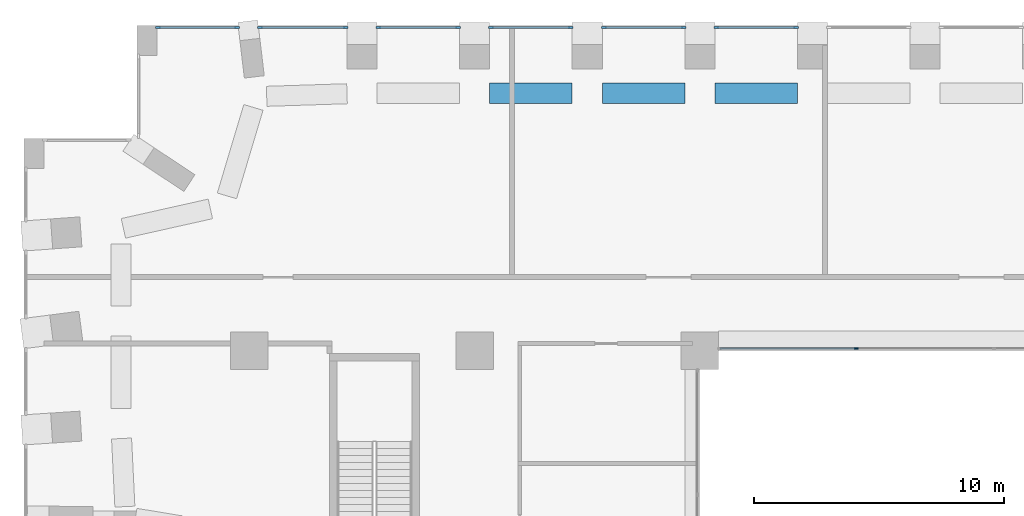
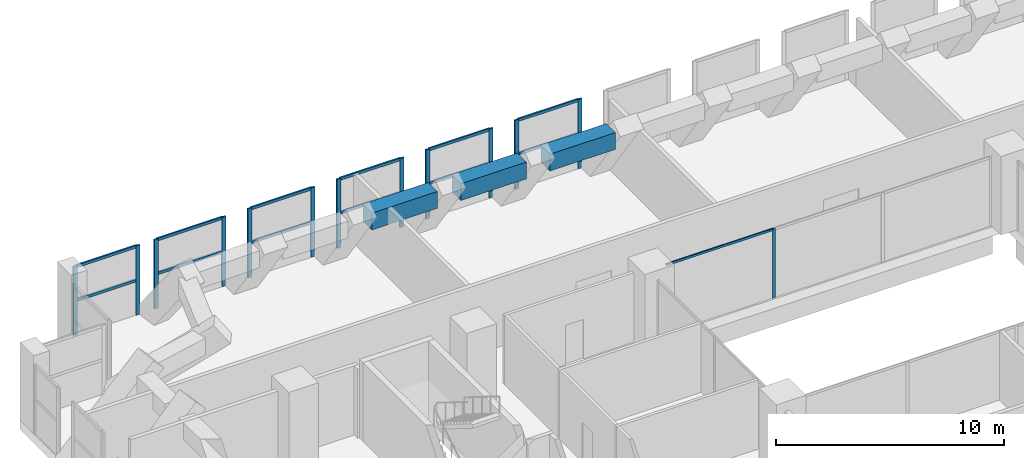
# One storey, part 7 of 20: 26 members, 3 beams, 7 elements without a shape of their own.
"""IFC4 building model written with IfcOpenShell, lengths in metres."""

from ifc_helpers import new_model, si_unit, direction, frame, origin, origin_2d, place, context, subcontext, project, spatial, rectangle, extrude, material, layer, layer_set, material_profile, profile_set, type_object, element, aggregate, save


model = new_model("IFC4")

# Units and contexts
model_context = context("Model", 3, precision=1e-05, world=origin(), true_north=direction((0.0, 1.0)))
body_context = subcontext(model_context, "Body", "Model", "MODEL_VIEW")
ifc_project = project(units=[si_unit("LENGTHUNIT", "METRE"), si_unit("AREAUNIT", "SQUARE_METRE"), si_unit("VOLUMEUNIT", "CUBIC_METRE"), si_unit("PLANEANGLEUNIT", "RADIAN"), si_unit("MASSUNIT", "GRAM", prefix="KILO")], contexts=[model_context])

# Site, building, storey
site_placement = place(None, origin())
site = spatial("IfcSite", under=ifc_project, at=site_placement, CompositionType="ELEMENT")
building_placement = place(site_placement, origin())
building = spatial("IfcBuilding", under=site, at=building_placement, Name="Brigalow Station Residences", CompositionType="ELEMENT")
storey_placement = place(building_placement, frame((0.0, 0.0, 73.050048828125)))
storey = spatial("IfcBuildingStorey", under=building, at=storey_placement, Name="L21", CompositionType="ELEMENT", Elevation=73.050048828125)

# Curtain wall, members
ifc_material_1 = material(Name="Aluminium", Category="aluminium")
ifc_layer_1 = layer(ifc_material_1, 0.14990234375)
ifc_layer_set_1 = layer_set([ifc_layer_1], Name="ATRIUM FIRE-RATED GLAZING CURTAIN WALL")
curtain_wall_type_1 = type_object("IfcCurtainWallType", Name="ATRIUM FIRE-RATED GLAZING CURTAIN WALL", PredefinedType="NOTDEFINED", material=ifc_layer_set_1)
curtain_wall_1_placement = place(storey_placement, origin())
curtain_wall_1 = element("IfcCurtainWall", 1, at=curtain_wall_1_placement, inside=storey, type_object=curtain_wall_type_1, Name="L21/cw/atrium-N", PredefinedType="NOTDEFINED")
ifc_material_2 = material(Name="Aluminium", Category="aluminium")
ifc_material_profile_1 = material_profile(ifc_material_2, rectangle(XDim=0.06005859375, YDim=0.14990234375, at=origin_2d()), Name="ATRIUM FIRE-RATED GLAZING MULLION 60x150")
ifc_profile_set_1 = profile_set([ifc_material_profile_1], Name="Aluminium")
member_type_1 = type_object("IfcMemberType", Name="ATRIUM FIRE-RATED GLAZING MULLION 60x150", PredefinedType="MULLION", material=ifc_profile_set_1)
member_1_placement = place(storey_placement, frame((33.25, 35.60009765625, 0.0), z_axis=(0.0, 0.0, 1.0), x_axis=(0.0, -1.0, 0.0)))
member_1 = element("IfcMember", 2, at=member_1_placement, type_object=member_type_1, Name="L21/cw/atrium-N/M02", PredefinedType="MULLION", context=body_context, shape_type="SweptSolid", body=[
    extrude(rectangle(XDim=0.06005859375, YDim=0.14990234375, at=origin_2d()), origin(), (0.0, 0.0, 1.0), 3.699951171875),
])
ifc_material_3 = material(Name="Aluminium", Category="aluminium")
ifc_material_profile_2 = material_profile(ifc_material_3, rectangle(XDim=0.06005859375, YDim=0.1201171875, at=origin_2d()), Name="ATRIUM FIRE-RATED GLAZING TRANSOM 60x120")
ifc_profile_set_2 = profile_set([ifc_material_profile_2], Name="Aluminium")
member_type_2 = type_object("IfcMemberType", Name="ATRIUM FIRE-RATED GLAZING TRANSOM 60x120", PredefinedType="USERDEFINED", material=ifc_profile_set_2)
member_2_placement = place(storey_placement, frame((33.219970703125, 35.60009765625, 3.669921875), z_axis=(-1.0, 0.0, 0.0), x_axis=(0.0, -1.0, 0.0)))
member_2 = element("IfcMember", 3, at=member_2_placement, type_object=member_type_2, Name="L21/cw/atrium-N/T02-00", ObjectType="TRANSOM", PredefinedType="USERDEFINED", context=body_context, shape_type="SweptSolid", body=[
    extrude(rectangle(XDim=0.06005859375, YDim=0.1201171875, at=origin_2d()), origin(), (0.0, 0.0, 1.0), 5.409912109375),
])
aggregate(curtain_wall_1, [member_1, member_2])

# Beams
ifc_material_4 = material(Name="Concrete C65", Category="concrete")
ifc_material_profile_3 = material_profile(ifc_material_4, rectangle(XDim=0.800048828125, YDim=0.89990234375, at=origin_2d()), Name="RC800x900")
ifc_profile_set_3 = profile_set([ifc_material_profile_3], Name="Concrete C65")
beam_type = type_object("IfcBeamType", Name="KINK TIE BEAM 800x900 C65", PredefinedType="BEAM", material=ifc_profile_set_3)
for number, where, z_axis, x_axis, name in (
    (4, (30.89990234375, 45.7978515625, 3.25), (-1.0, 0.0, 0.0), (0.0, -1.0, 0.0), "KINK TIE BEAM 29 L21"),
    (5, (26.39990234375, 45.7978515625, 3.25), (-1.0, 0.0, 0.0), (0.0, -1.0, 0.0), "KINK TIE BEAM 30 L21"),
    (6, (21.89990234375, 45.7978515625, 3.25), (-1.0, 0.0, 0.0), (0.0, -1.0, 0.0), "KINK TIE BEAM 31 L21"),
):
    element("IfcBeam", number, at=place(storey_placement, frame(where, z_axis=z_axis, x_axis=x_axis)), inside=storey, type_object=beam_type, Name=name, PredefinedType="BEAM", context=body_context, shape_type="SweptSolid", body=[
        extrude(rectangle(XDim=0.800048828125, YDim=0.89990234375, at=origin_2d()), origin(), (0.0, 0.0, 1.0), 3.2998046875),
    ])

# Curtain wall, members
ifc_material_5 = material(Name="Aluminium", Category="aluminium")
ifc_layer_2 = layer(ifc_material_5, 0.199951171875)
ifc_layer_set_2 = layer_set([ifc_layer_2], Name="REFUGE FLOOR LOUVRE CURTAIN WALL")
curtain_wall_type_2 = type_object("IfcCurtainWallType", Name="REFUGE FLOOR LOUVRE CURTAIN WALL", PredefinedType="NOTDEFINED", material=ifc_layer_set_2)
curtain_wall_2_placement = place(storey_placement, origin())
curtain_wall_2 = element("IfcCurtainWall", 7, at=curtain_wall_2_placement, inside=storey, type_object=curtain_wall_type_2, Name="L21/cw/louvre-W-L21-25-32", PredefinedType="NOTDEFINED")
ifc_material_6 = material(Name="Aluminium", Category="aluminium")
ifc_material_profile_4 = material_profile(ifc_material_6, rectangle(XDim=0.080078125, YDim=0.199951171875, at=origin_2d()), Name="REFUGE FLOOR LOUVRE MULLION 80x200")
ifc_profile_set_4 = profile_set([ifc_material_profile_4], Name="Aluminium")
member_type_3 = type_object("IfcMemberType", Name="REFUGE FLOOR LOUVRE MULLION 80x200", PredefinedType="MULLION", material=ifc_profile_set_4)
member_3_placement = place(storey_placement, frame((30.840087890625, 48.425048828125, 0.0), z_axis=(0.0, 0.0, 1.0), x_axis=(0.0, -1.0, 0.0)))
member_3 = element("IfcMember", 8, at=member_3_placement, type_object=member_type_3, Name="L21/cw/louvre-W-L21-25-32/M00", PredefinedType="MULLION", context=body_context, shape_type="SweptSolid", body=[
    extrude(rectangle(XDim=0.080078125, YDim=0.199951171875, at=origin_2d()), origin(), (0.0, 0.0, 1.0), 3.699951171875),
])
member_4_placement = place(storey_placement, frame((27.659912109375, 48.425048828125, 0.0), z_axis=(0.0, 0.0, 1.0), x_axis=(0.0, -1.0, 0.0)))
member_4 = element("IfcMember", 9, at=member_4_placement, type_object=member_type_3, Name="L21/cw/louvre-W-L21-25-32/M01", PredefinedType="MULLION", context=body_context, shape_type="SweptSolid", body=[
    extrude(rectangle(XDim=0.080078125, YDim=0.199951171875, at=origin_2d()), origin(), (0.0, 0.0, 1.0), 3.699951171875),
])

curtain_wall_3_placement = place(storey_placement, origin())
curtain_wall_3 = element("IfcCurtainWall", 10, at=curtain_wall_3_placement, inside=storey, type_object=curtain_wall_type_2, Name="L21/cw/louvre-W-L21-25-33", PredefinedType="NOTDEFINED")
member_5_placement = place(storey_placement, frame((26.340087890625, 48.425048828125, 0.0), z_axis=(0.0, 0.0, 1.0), x_axis=(0.0, -1.0, 0.0)))
member_5 = element("IfcMember", 11, at=member_5_placement, type_object=member_type_3, Name="L21/cw/louvre-W-L21-25-33/M00", PredefinedType="MULLION", context=body_context, shape_type="SweptSolid", body=[
    extrude(rectangle(XDim=0.080078125, YDim=0.199951171875, at=origin_2d()), origin(), (0.0, 0.0, 1.0), 3.699951171875),
])
member_6_placement = place(storey_placement, frame((23.159912109375, 48.425048828125, 0.0), z_axis=(0.0, 0.0, 1.0), x_axis=(0.0, -1.0, 0.0)))
member_6 = element("IfcMember", 12, at=member_6_placement, type_object=member_type_3, Name="L21/cw/louvre-W-L21-25-33/M01", PredefinedType="MULLION", context=body_context, shape_type="SweptSolid", body=[
    extrude(rectangle(XDim=0.080078125, YDim=0.199951171875, at=origin_2d()), origin(), (0.0, 0.0, 1.0), 3.699951171875),
])

curtain_wall_4_placement = place(storey_placement, origin())
curtain_wall_4 = element("IfcCurtainWall", 13, at=curtain_wall_4_placement, inside=storey, type_object=curtain_wall_type_2, Name="L21/cw/louvre-W-L21-25-34", PredefinedType="NOTDEFINED")
member_7_placement = place(storey_placement, frame((21.840087890625, 48.425048828125, 0.0), z_axis=(0.0, 0.0, 1.0), x_axis=(0.0, -1.0, 0.0)))
member_7 = element("IfcMember", 14, at=member_7_placement, type_object=member_type_3, Name="L21/cw/louvre-W-L21-25-34/M00", PredefinedType="MULLION", context=body_context, shape_type="SweptSolid", body=[
    extrude(rectangle(XDim=0.080078125, YDim=0.199951171875, at=origin_2d()), origin(), (0.0, 0.0, 1.0), 3.699951171875),
])
member_8_placement = place(storey_placement, frame((18.659912109375, 48.425048828125, 0.0), z_axis=(0.0, 0.0, 1.0), x_axis=(0.0, -1.0, 0.0)))
member_8 = element("IfcMember", 15, at=member_8_placement, type_object=member_type_3, Name="L21/cw/louvre-W-L21-25-34/M01", PredefinedType="MULLION", context=body_context, shape_type="SweptSolid", body=[
    extrude(rectangle(XDim=0.080078125, YDim=0.199951171875, at=origin_2d()), origin(), (0.0, 0.0, 1.0), 3.699951171875),
])

curtain_wall_5_placement = place(storey_placement, origin())
curtain_wall_5 = element("IfcCurtainWall", 16, at=curtain_wall_5_placement, inside=storey, type_object=curtain_wall_type_2, Name="L21/cw/louvre-W-L21-25-35", PredefinedType="NOTDEFINED")
member_9_placement = place(storey_placement, frame((17.340087890625, 48.425048828125, 0.0), z_axis=(0.0, 0.0, 1.0), x_axis=(0.0, -1.0, 0.0)))
member_9 = element("IfcMember", 17, at=member_9_placement, type_object=member_type_3, Name="L21/cw/louvre-W-L21-25-35/M00", PredefinedType="MULLION", context=body_context, shape_type="SweptSolid", body=[
    extrude(rectangle(XDim=0.080078125, YDim=0.199951171875, at=origin_2d()), origin(), (0.0, 0.0, 1.0), 3.699951171875),
])
member_10_placement = place(storey_placement, frame((14.159912109375, 48.425048828125, 0.0), z_axis=(0.0, 0.0, 1.0), x_axis=(0.0, -1.0, 0.0)))
member_10 = element("IfcMember", 18, at=member_10_placement, type_object=member_type_3, Name="L21/cw/louvre-W-L21-25-35/M01", PredefinedType="MULLION", context=body_context, shape_type="SweptSolid", body=[
    extrude(rectangle(XDim=0.080078125, YDim=0.199951171875, at=origin_2d()), origin(), (0.0, 0.0, 1.0), 3.699951171875),
])

curtain_wall_6_placement = place(storey_placement, origin())
curtain_wall_6 = element("IfcCurtainWall", 19, at=curtain_wall_6_placement, inside=storey, type_object=curtain_wall_type_2, Name="L21/cw/louvre-W-L21-25-36", PredefinedType="NOTDEFINED")
member_11_placement = place(storey_placement, frame((12.840087890625, 48.425048828125, 0.0), z_axis=(0.0, 0.0, 1.0), x_axis=(0.0, -1.0, 0.0)))
member_11 = element("IfcMember", 20, at=member_11_placement, type_object=member_type_3, Name="L21/cw/louvre-W-L21-25-36/M00", PredefinedType="MULLION", context=body_context, shape_type="SweptSolid", body=[
    extrude(rectangle(XDim=0.080078125, YDim=0.199951171875, at=origin_2d()), origin(), (0.0, 0.0, 1.0), 3.699951171875),
])
member_12_placement = place(storey_placement, frame((9.42431640625, 48.425048828125, 0.0), z_axis=(0.0, 0.0, 1.0), x_axis=(0.0, -1.0, 0.0)))
member_12 = element("IfcMember", 21, at=member_12_placement, type_object=member_type_3, Name="L21/cw/louvre-W-L21-25-36/M01", PredefinedType="MULLION", context=body_context, shape_type="SweptSolid", body=[
    extrude(rectangle(XDim=0.080078125, YDim=0.199951171875, at=origin_2d()), origin(), (0.0, 0.0, 1.0), 3.699951171875),
])

curtain_wall_7_placement = place(storey_placement, origin())
curtain_wall_7 = element("IfcCurtainWall", 22, at=curtain_wall_7_placement, inside=storey, type_object=curtain_wall_type_2, Name="L21/cw/louvre-W-L21-25-37", PredefinedType="NOTDEFINED")
member_13_placement = place(storey_placement, frame((8.498291015625, 48.425048828125, 0.0), z_axis=(0.0, 0.0, 1.0), x_axis=(0.0, -1.0, 0.0)))
member_13 = element("IfcMember", 23, at=member_13_placement, type_object=member_type_3, Name="L21/cw/louvre-W-L21-25-37/M00", PredefinedType="MULLION", context=body_context, shape_type="SweptSolid", body=[
    extrude(rectangle(XDim=0.080078125, YDim=0.199951171875, at=origin_2d()), origin(), (0.0, 0.0, 1.0), 3.699951171875),
])
member_14_placement = place(storey_placement, frame((5.340087890625, 48.425048828125, 0.0), z_axis=(0.0, 0.0, 1.0), x_axis=(0.0, -1.0, 0.0)))
member_14 = element("IfcMember", 24, at=member_14_placement, type_object=member_type_3, Name="L21/cw/louvre-W-L21-25-37/M01", PredefinedType="MULLION", context=body_context, shape_type="SweptSolid", body=[
    extrude(rectangle(XDim=0.080078125, YDim=0.199951171875, at=origin_2d()), origin(), (0.0, 0.0, 1.0), 3.699951171875),
])

# Member
ifc_material_7 = material(Name="Aluminium", Category="aluminium")
ifc_material_profile_5 = material_profile(ifc_material_7, rectangle(XDim=0.080078125, YDim=0.14990234375, at=origin_2d()), Name="REFUGE FLOOR LOUVRE TRANSOM 80x150")
ifc_profile_set_5 = profile_set([ifc_material_profile_5], Name="Aluminium")
member_type_4 = type_object("IfcMemberType", Name="REFUGE FLOOR LOUVRE TRANSOM 80x150", PredefinedType="USERDEFINED", material=ifc_profile_set_5)
member_15_placement = place(storey_placement, frame((30.800048828125, 48.425048828125, 1.849853515625), z_axis=(-1.0, 0.0, 0.0), x_axis=(0.0, -1.0, 0.0)))
member_15 = element("IfcMember", 25, at=member_15_placement, type_object=member_type_4, Name="L21/cw/louvre-W-L21-25-32/T00-00", ObjectType="TRANSOM", PredefinedType="USERDEFINED", context=body_context, shape_type="SweptSolid", body=[
    extrude(rectangle(XDim=0.080078125, YDim=0.14990234375, at=origin_2d()), origin(), (0.0, 0.0, 1.0), 3.10009765625),
])

member_16_placement = place(storey_placement, frame((30.800048828125, 48.425048828125, 3.659912109375), z_axis=(-1.0, 0.0, 0.0), x_axis=(0.0, -1.0, 0.0)))
member_16 = element("IfcMember", 26, at=member_16_placement, type_object=member_type_4, Name="L21/cw/louvre-W-L21-25-32/T00-01", ObjectType="TRANSOM", PredefinedType="USERDEFINED", context=body_context, shape_type="SweptSolid", body=[
    extrude(rectangle(XDim=0.080078125, YDim=0.14990234375, at=origin_2d()), origin(), (0.0, 0.0, 1.0), 3.10009765625),
])

aggregate(curtain_wall_2, [member_3, member_4, member_15, member_16])

member_17_placement = place(storey_placement, frame((26.300048828125, 48.425048828125, 1.849853515625), z_axis=(-1.0, 0.0, 0.0), x_axis=(0.0, -1.0, 0.0)))
member_17 = element("IfcMember", 27, at=member_17_placement, type_object=member_type_4, Name="L21/cw/louvre-W-L21-25-33/T00-00", ObjectType="TRANSOM", PredefinedType="USERDEFINED", context=body_context, shape_type="SweptSolid", body=[
    extrude(rectangle(XDim=0.080078125, YDim=0.14990234375, at=origin_2d()), origin(), (0.0, 0.0, 1.0), 3.10009765625),
])

member_18_placement = place(storey_placement, frame((26.300048828125, 48.425048828125, 3.659912109375), z_axis=(-1.0, 0.0, 0.0), x_axis=(0.0, -1.0, 0.0)))
member_18 = element("IfcMember", 28, at=member_18_placement, type_object=member_type_4, Name="L21/cw/louvre-W-L21-25-33/T00-01", ObjectType="TRANSOM", PredefinedType="USERDEFINED", context=body_context, shape_type="SweptSolid", body=[
    extrude(rectangle(XDim=0.080078125, YDim=0.14990234375, at=origin_2d()), origin(), (0.0, 0.0, 1.0), 3.10009765625),
])

aggregate(curtain_wall_3, [member_5, member_6, member_17, member_18])

member_19_placement = place(storey_placement, frame((21.800048828125, 48.425048828125, 1.849853515625), z_axis=(-1.0, 0.0, 0.0), x_axis=(0.0, -1.0, 0.0)))
member_19 = element("IfcMember", 29, at=member_19_placement, type_object=member_type_4, Name="L21/cw/louvre-W-L21-25-34/T00-00", ObjectType="TRANSOM", PredefinedType="USERDEFINED", context=body_context, shape_type="SweptSolid", body=[
    extrude(rectangle(XDim=0.080078125, YDim=0.14990234375, at=origin_2d()), origin(), (0.0, 0.0, 1.0), 3.10009765625),
])

member_20_placement = place(storey_placement, frame((21.800048828125, 48.425048828125, 3.659912109375), z_axis=(-1.0, 0.0, 0.0), x_axis=(0.0, -1.0, 0.0)))
member_20 = element("IfcMember", 30, at=member_20_placement, type_object=member_type_4, Name="L21/cw/louvre-W-L21-25-34/T00-01", ObjectType="TRANSOM", PredefinedType="USERDEFINED", context=body_context, shape_type="SweptSolid", body=[
    extrude(rectangle(XDim=0.080078125, YDim=0.14990234375, at=origin_2d()), origin(), (0.0, 0.0, 1.0), 3.10009765625),
])

aggregate(curtain_wall_4, [member_7, member_8, member_19, member_20])

member_21_placement = place(storey_placement, frame((17.300048828125, 48.425048828125, 1.849853515625), z_axis=(-1.0, 0.0, 0.0), x_axis=(0.0, -1.0, 0.0)))
member_21 = element("IfcMember", 31, at=member_21_placement, type_object=member_type_4, Name="L21/cw/louvre-W-L21-25-35/T00-00", ObjectType="TRANSOM", PredefinedType="USERDEFINED", context=body_context, shape_type="SweptSolid", body=[
    extrude(rectangle(XDim=0.080078125, YDim=0.14990234375, at=origin_2d()), origin(), (0.0, 0.0, 1.0), 3.10009765625),
])

member_22_placement = place(storey_placement, frame((17.300048828125, 48.425048828125, 3.659912109375), z_axis=(-1.0, 0.0, 0.0), x_axis=(0.0, -1.0, 0.0)))
member_22 = element("IfcMember", 32, at=member_22_placement, type_object=member_type_4, Name="L21/cw/louvre-W-L21-25-35/T00-01", ObjectType="TRANSOM", PredefinedType="USERDEFINED", context=body_context, shape_type="SweptSolid", body=[
    extrude(rectangle(XDim=0.080078125, YDim=0.14990234375, at=origin_2d()), origin(), (0.0, 0.0, 1.0), 3.10009765625),
])

aggregate(curtain_wall_5, [member_9, member_10, member_21, member_22])

member_23_placement = place(storey_placement, frame((12.800048828125, 48.425048828125, 1.849853515625), z_axis=(-1.0, 0.0, 0.0), x_axis=(0.0, -1.0, 0.0)))
member_23 = element("IfcMember", 33, at=member_23_placement, type_object=member_type_4, Name="L21/cw/louvre-W-L21-25-36/T00-00", ObjectType="TRANSOM", PredefinedType="USERDEFINED", context=body_context, shape_type="SweptSolid", body=[
    extrude(rectangle(XDim=0.080078125, YDim=0.14990234375, at=origin_2d()), origin(), (0.0, 0.0, 1.0), 3.335693359375),
])

member_24_placement = place(storey_placement, frame((12.800048828125, 48.425048828125, 3.659912109375), z_axis=(-1.0, 0.0, 0.0), x_axis=(0.0, -1.0, 0.0)))
member_24 = element("IfcMember", 34, at=member_24_placement, type_object=member_type_4, Name="L21/cw/louvre-W-L21-25-36/T00-01", ObjectType="TRANSOM", PredefinedType="USERDEFINED", context=body_context, shape_type="SweptSolid", body=[
    extrude(rectangle(XDim=0.080078125, YDim=0.14990234375, at=origin_2d()), origin(), (0.0, 0.0, 1.0), 3.335693359375),
])

aggregate(curtain_wall_6, [member_11, member_12, member_23, member_24])

member_25_placement = place(storey_placement, frame((8.458251953125, 48.425048828125, 1.849853515625), z_axis=(-1.0, 0.0, 0.0), x_axis=(0.0, -1.0, 0.0)))
member_25 = element("IfcMember", 35, at=member_25_placement, type_object=member_type_4, Name="L21/cw/louvre-W-L21-25-37/T00-00", ObjectType="TRANSOM", PredefinedType="USERDEFINED", context=body_context, shape_type="SweptSolid", body=[
    extrude(rectangle(XDim=0.080078125, YDim=0.14990234375, at=origin_2d()), origin(), (0.0, 0.0, 1.0), 3.078369140625),
])

member_26_placement = place(storey_placement, frame((8.458251953125, 48.425048828125, 3.659912109375), z_axis=(-1.0, 0.0, 0.0), x_axis=(0.0, -1.0, 0.0)))
member_26 = element("IfcMember", 36, at=member_26_placement, type_object=member_type_4, Name="L21/cw/louvre-W-L21-25-37/T00-01", ObjectType="TRANSOM", PredefinedType="USERDEFINED", context=body_context, shape_type="SweptSolid", body=[
    extrude(rectangle(XDim=0.080078125, YDim=0.14990234375, at=origin_2d()), origin(), (0.0, 0.0, 1.0), 3.078369140625),
])

aggregate(curtain_wall_7, [member_13, member_14, member_25, member_26])

save(model, "model.ifc")
